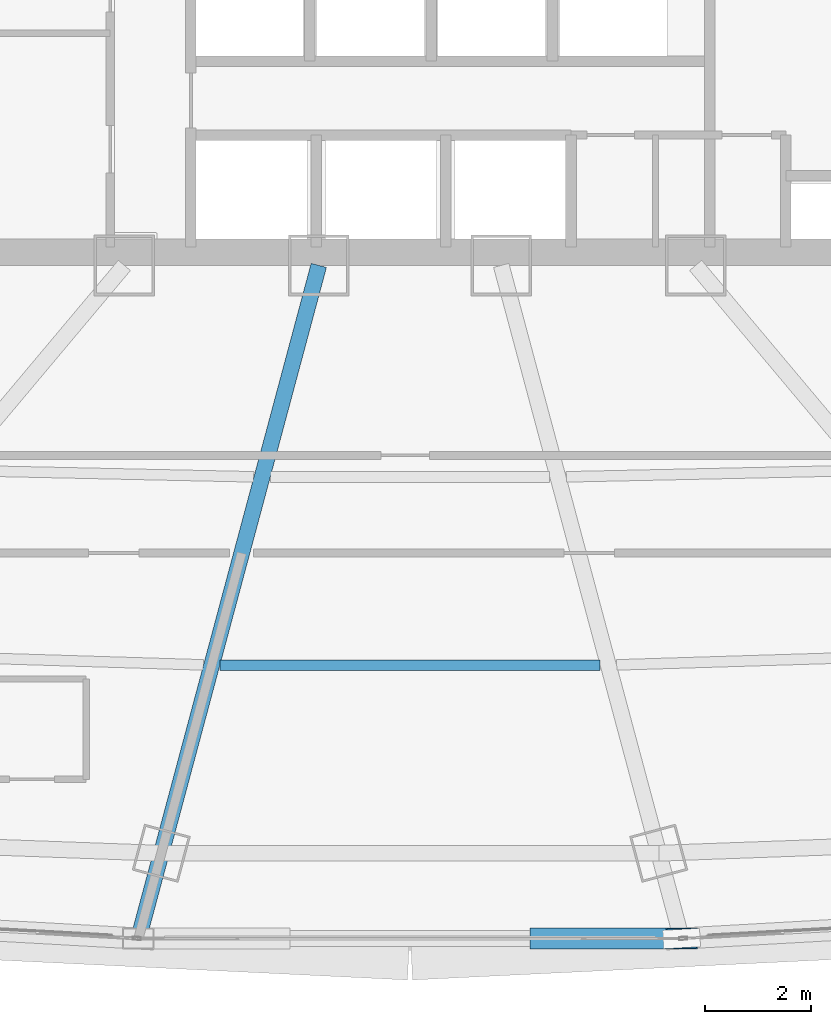
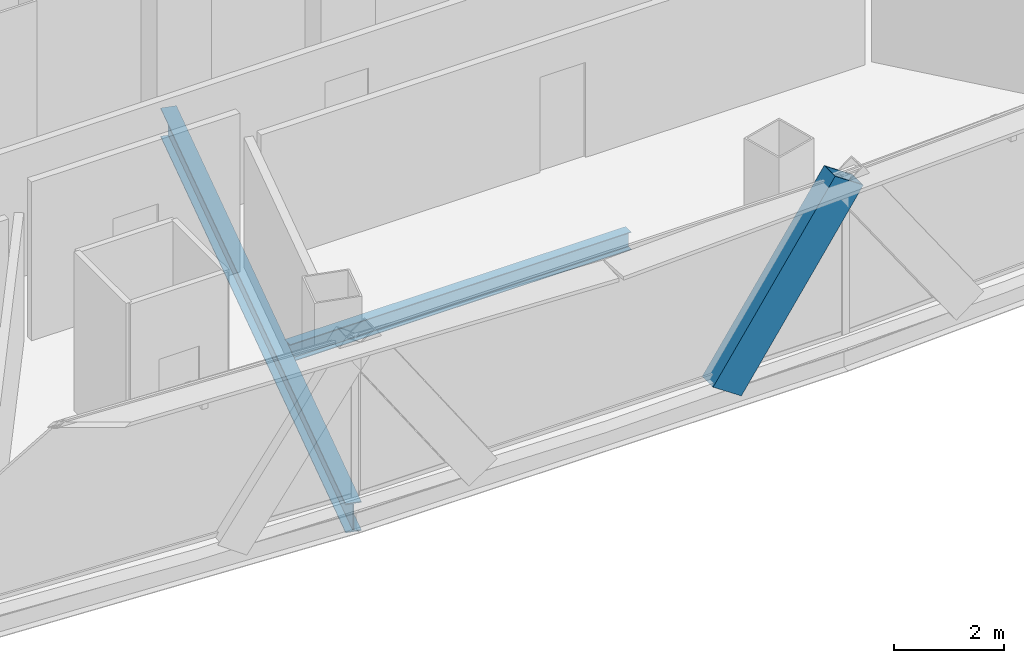
# One storey, part 11 of 38: 2 beams, 1 member.
"""IFC4 building model written with IfcOpenShell, lengths in metres."""

from ifc_helpers import new_model, si_unit, direction, frame, origin, origin_2d, place, context, subcontext, project, spatial, hollow_rectangle, i_section, extrude, source, transform, mapped, material, material_profile, profile_set, type_object, element, save


model = new_model("IFC4")

# Units and contexts
model_context = context("Model", 3, precision=1e-05, world=origin(), true_north=direction((0.0, 1.0)))
body_context = subcontext(model_context, "Body", "Model", "MODEL_VIEW")
ifc_project = project(units=[si_unit("LENGTHUNIT", "METRE"), si_unit("AREAUNIT", "SQUARE_METRE"), si_unit("VOLUMEUNIT", "CUBIC_METRE"), si_unit("PLANEANGLEUNIT", "RADIAN"), si_unit("MASSUNIT", "GRAM", prefix="KILO"), si_unit("THERMODYNAMICTEMPERATUREUNIT", "KELVIN"), si_unit("POWERUNIT", "WATT")], contexts=[model_context])

# Site, building, storey
site_placement = place(None, origin())
site = spatial("IfcSite", under=ifc_project, at=site_placement, CompositionType="ELEMENT")
building_placement = place(site_placement, origin())
building = spatial("IfcBuilding", under=site, at=building_placement, Name="Yunzhuo Pagoda Commons", CompositionType="ELEMENT")
storey_placement = place(building_placement, frame((0.0, 0.0, 203.760009765625)))
storey = spatial("IfcBuildingStorey", under=building, at=storey_placement, Name="L51", CompositionType="ELEMENT", Elevation=203.760009765625)

# Beams
ifc_material = material(Name="Structural steel Q355B", Category="steel")
ifc_material_profile_1 = material_profile(ifc_material, i_section(OverallWidth=0.199951171875, OverallDepth=0.39990234375, WebThickness=0.008056640625, FlangeThickness=0.012939453125, at=origin_2d()), Name="Structural steel Q355B")
ifc_profile_set_1 = profile_set([ifc_material_profile_1], Name="Structural steel Q355B")
beam_type_1 = type_object("IfcBeamType", Name="B-JS1 Joist HN 400x200x8x13", PredefinedType="JOIST", material=ifc_profile_set_1)
shared_shape_1 = source(origin(), body_context, "Body", "SweptSolid", [
    extrude(i_section(OverallWidth=0.199951171875, OverallDepth=0.39990234375, WebThickness=0.008056640625, FlangeThickness=0.012939453125, at=origin_2d()), origin(), (0.0, 0.0, 1.0), 7.197265625),
])
beam_1_placement = place(storey_placement, frame((44.4013671875, 19.676513671875, -0.4599609375), z_axis=(1.0, 0.0, 0.0), x_axis=(0.0, 1.0, 0.0)))
element("IfcBeam", 1, at=beam_1_placement, inside=storey, type_object=beam_type_1, Name="L51 composite ring joist 2.2", PredefinedType="JOIST", context=body_context, shape_type="MappedRepresentation", body=[
    mapped(shared_shape_1, transform((0.0, 0.0, 0.0), scale=1.0)),
])
ifc_material_profile_2 = material_profile(ifc_material, i_section(OverallWidth=0.300048828125, OverallDepth=0.64990234375, WebThickness=0.012939453125, FlangeThickness=0.02197265625, at=origin_2d()), Name="Structural steel Q355B")
ifc_profile_set_2 = profile_set([ifc_material_profile_2], Name="Structural steel Q355B")
beam_type_2 = type_object("IfcBeamType", Name="B-RG2 Beam HN 650x300x13x22", PredefinedType="BEAM", material=ifc_profile_set_2)
shared_shape_2 = source(origin(), body_context, "Body", "SweptSolid", [
    extrude(i_section(OverallWidth=0.300048828125, OverallDepth=0.64990234375, WebThickness=0.012939453125, FlangeThickness=0.02197265625, at=origin_2d()), origin(), (0.0, 0.0, 1.0), 13.048095703125),
])
beam_2_placement = place(storey_placement, frame((42.89453125, 14.646484375, -0.5849609375), z_axis=(0.258843326186, 0.965919319865, 0.0), x_axis=(-0.965919319865, 0.258843326186, 0.0)))
element("IfcBeam", 2, at=beam_2_placement, inside=storey, type_object=beam_type_2, Name="L51 radial floor girder F1C2", PredefinedType="BEAM", context=body_context, shape_type="MappedRepresentation", body=[
    mapped(shared_shape_2, transform((0.0, 0.0, 0.0), scale=1.0)),
])

# Member
ifc_material_profile_3 = material_profile(ifc_material, hollow_rectangle(XDim=0.39990234375, YDim=0.719970703125, WallThickness=0.02392578125, at=origin_2d()), Name="Structural steel Q355B")
ifc_profile_set_3 = profile_set([ifc_material_profile_3], Name="Structural steel Q355B")
member_type = type_object("IfcMemberType", Name="M-DL2 Brace BOX 720x400x24", PredefinedType="BRACE", material=ifc_profile_set_3)
shared_shape_3 = source(origin(), body_context, "Body", "SweptSolid", [
    extrude(hollow_rectangle(XDim=0.39990234375, YDim=0.719970703125, WallThickness=0.02392578125, at=origin_2d()), origin(), (0.0, 0.0, 1.0), 4.589111328125),
])
member_placement = place(storey_placement, frame((50.57275390625, 14.496826171875, -0.260009765625), z_axis=(0.560628151048, 0.0, 0.828067676131), x_axis=(0.0, 1.0, 0.0)))
element("IfcMember", 3, at=member_placement, inside=storey, type_object=member_type, Name="L51 facade diamond brace F1.2R", PredefinedType="BRACE", context=body_context, shape_type="MappedRepresentation", body=[
    mapped(shared_shape_3, transform((0.0, 0.0, 0.0), scale=1.0)),
])

save(model, "model.ifc")
